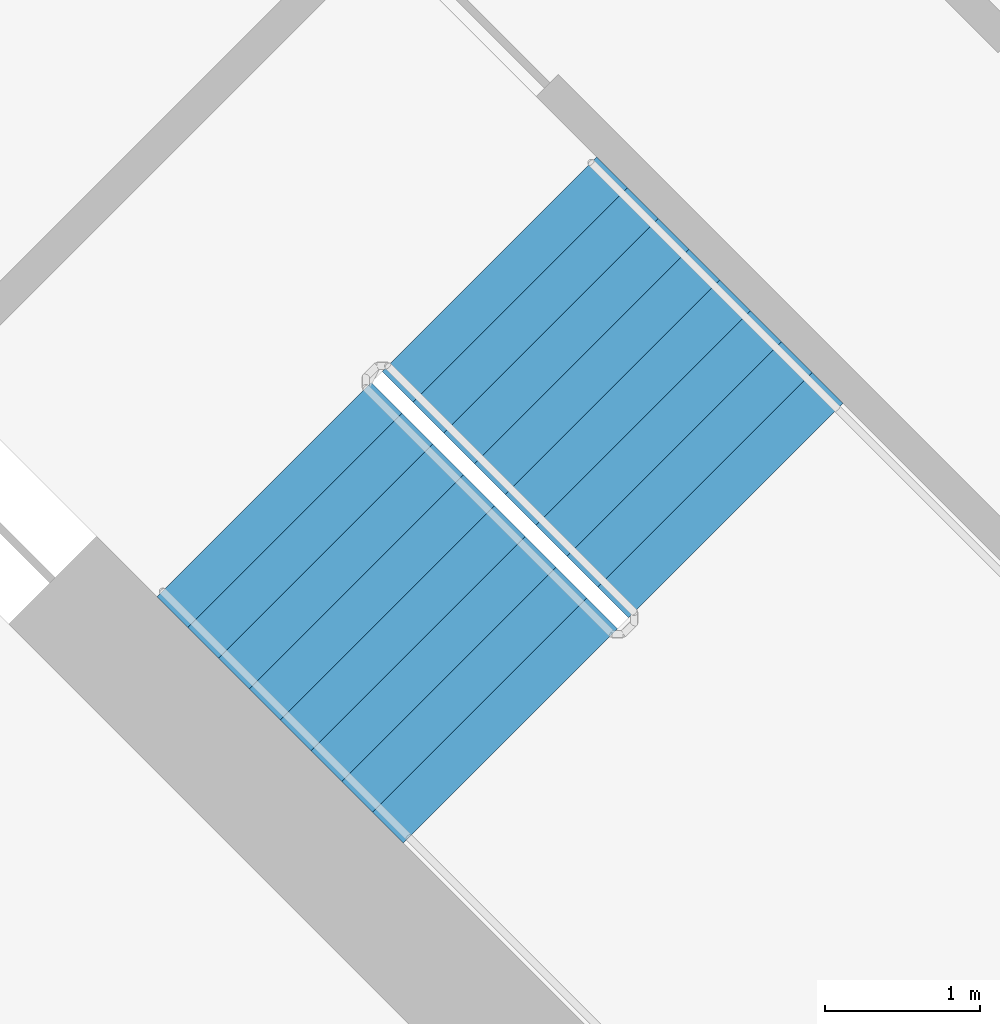
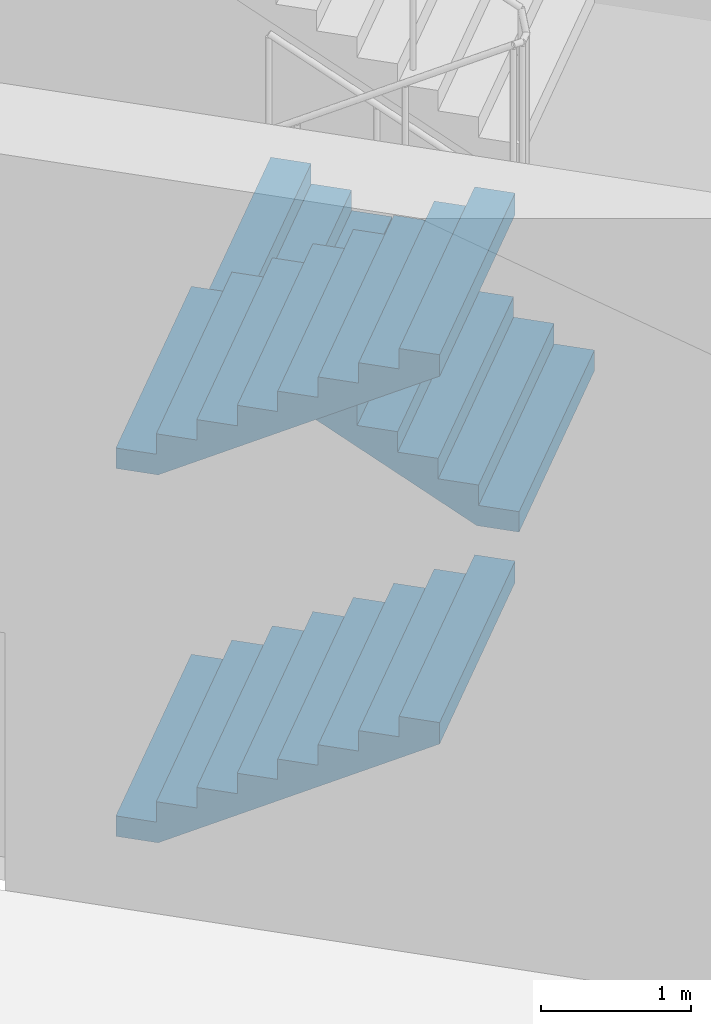
# One storey, part 12 of 17: 3 stair flights, 1 element without a shape of its own.
"""IFC4 building model written with IfcOpenShell, lengths in metres."""

from ifc_helpers import new_model, si_unit, direction, frame, origin, place, context, subcontext, project, spatial, triangles, material, type_object, element, aggregate, save


model = new_model("IFC4")

# Units and contexts
model_context = context("Model", 3, precision=1e-05, world=origin(), true_north=direction((0.0, 1.0)))
body_context = subcontext(model_context, "Body", "Model", "MODEL_VIEW")
ifc_project = project(units=[si_unit("LENGTHUNIT", "METRE"), si_unit("AREAUNIT", "SQUARE_METRE"), si_unit("VOLUMEUNIT", "CUBIC_METRE"), si_unit("PLANEANGLEUNIT", "RADIAN"), si_unit("MASSUNIT", "GRAM", prefix="KILO")], contexts=[model_context])

# Site, building, storey
site_placement = place(None, origin())
site = spatial("IfcSite", under=ifc_project, at=site_placement, CompositionType="ELEMENT")
building_placement = place(site_placement, origin())
building = spatial("IfcBuilding", under=site, at=building_placement, Name="Verdalira Terraces Hotel", CompositionType="ELEMENT")
storey_placement = place(building_placement, frame((0.0, 0.0, 122.0)))
storey = spatial("IfcBuildingStorey", under=building, at=storey_placement, Name="L29", CompositionType="ELEMENT", Elevation=122.0)

# Stair, stair flights
ifc_material_1 = material(Name="Concrete C40", Category="concrete")
stair_type = type_object("IfcStairType", Name="Core stair 36 risers 1950 mm wide", PredefinedType="HALF_TURN_STAIR", material=ifc_material_1)
stair_placement = place(storey_placement, origin())
stair = element("IfcStair", 1, at=stair_placement, inside=storey, type_object=stair_type, Name="L29 Exit stair ST2", PredefinedType="HALF_TURN_STAIR")
ifc_material_2 = material(Name="Concrete C40", Category="concrete")
stair_flight_type = type_object("IfcStairFlightType", Name="Core stair flight 36 risers 1950 mm wide", PredefinedType="STRAIGHT", material=ifc_material_2)
stair_flight_1_placement = place(storey_placement, frame((-10.023193, -7.265625, 0.0), z_axis=(0.0, 0.0, 1.0), x_axis=(0.707106781, -0.707106781, 0.0)))
stair_flight_1 = element("IfcStairFlight", 2, at=stair_flight_1_placement, type_object=stair_flight_type, Name="ST2 flight 1", NumberOfRisers=9, NumberOfTreads=8, PredefinedType="STRAIGHT", RiserHeight=0.166666667, TreadLength=0.28, context=body_context, shape_type="Tessellation", body=[
    triangles([(0.0, 0.974976, 0.0), (0.292969, 0.974976, 0.0), (2.23999, 0.974976, 1.158936), (0.0, -0.974976, 0.0), (0.292969, -0.974976, 0.0), (2.23999, -0.974976, 1.158936), (2.23999, 0.974976, 1.333252), (1.959961, 0.974976, 1.333252), (2.23999, -0.974976, 1.333252), (1.959961, -0.974976, 1.333252), (1.959961, 0.974976, 1.166748), (1.959961, -0.974976, 1.166748), (1.679932, 0.974976, 1.166748), (1.679932, -0.974976, 1.166748), (1.679932, 0.974976, 1.0), (1.679932, -0.974976, 1.0), (1.399902, 0.974976, 1.0), (1.399902, 0.974976, 0.833252), (1.399902, -0.974976, 1.0), (1.399902, -0.974976, 0.833252), (1.120117, 0.974976, 0.833252), (1.120117, 0.974976, 0.666748), (1.120117, -0.974976, 0.833252), (1.120117, -0.974976, 0.666748), (0.840088, 0.974976, 0.666748), (0.840088, 0.974976, 0.5), (0.840088, -0.974976, 0.666748), (0.840088, -0.974976, 0.5), (0.560059, 0.974976, 0.5), (0.560059, 0.974976, 0.333252), (0.560059, -0.974976, 0.5), (0.560059, -0.974976, 0.333252), (0.280029, 0.974976, 0.333252), (0.280029, 0.974976, 0.166748), (0.280029, -0.974976, 0.333252), (0.280029, -0.974976, 0.166748), (0.0, 0.974976, 0.166748), (0.0, -0.974976, 0.166748), (0.0, -0.91404, 0.0), (0.0, -0.91404, 0.166748), (0.0, -0.853104, 0.0), (0.0, -0.853104, 0.166748), (0.0, -0.792168, 0.0), (0.0, -0.792168, 0.166748), (0.0, -0.731232, 0.0), (0.0, -0.731232, 0.166748), (0.0, -0.670296, 0.0), (0.0, -0.670296, 0.166748), (0.0, -0.60936, 0.0), (0.0, -0.60936, 0.166748), (0.0, -0.548424, 0.0), (0.0, -0.548424, 0.166748), (0.0, -0.487488, 0.0), (0.0, -0.487488, 0.166748), (0.0, -0.426552, 0.0), (0.0, -0.426552, 0.166748), (0.0, -0.365616, 0.0), (0.0, -0.365616, 0.166748), (0.0, -0.30468, 0.0), (0.0, -0.30468, 0.166748), (0.0, -0.243744, 0.0), (0.0, -0.243744, 0.166748), (0.0, -0.182808, 0.0), (0.0, -0.182808, 0.166748), (0.0, -0.121872, 0.0), (0.0, -0.121872, 0.166748), (0.0, -0.060936, 0.0), (0.0, -0.060936, 0.166748), (0.0, 0.0, 0.0), (0.0, 0.0, 0.166748), (0.0, 0.060936, 0.0), (0.0, 0.060936, 0.166748), (0.0, 0.121872, 0.0), (0.0, 0.121872, 0.166748), (0.0, 0.182808, 0.0), (0.0, 0.182808, 0.166748), (0.0, 0.243744, 0.0), (0.0, 0.243744, 0.166748), (0.0, 0.30468, 0.0), (0.0, 0.30468, 0.166748), (0.0, 0.365616, 0.0), (0.0, 0.365616, 0.166748), (0.0, 0.426552, 0.0), (0.0, 0.426552, 0.166748), (0.0, 0.487488, 0.0), (0.0, 0.487488, 0.166748), (0.0, 0.548424, 0.0), (0.0, 0.548424, 0.166748), (0.0, 0.60936, 0.0), (0.0, 0.60936, 0.166748), (0.0, 0.670296, 0.0), (0.0, 0.670296, 0.166748), (0.0, 0.731232, 0.0), (0.0, 0.731232, 0.166748), (0.0, 0.792168, 0.0), (0.0, 0.792168, 0.166748), (0.0, 0.853104, 0.0), (0.0, 0.853104, 0.166748), (0.0, 0.91404, 0.0), (0.0, 0.91404, 0.166748), (2.23999, -0.91404, 1.333252), (2.23999, -0.853104, 1.333252), (2.23999, -0.792168, 1.333252), (2.23999, -0.731232, 1.333252), (2.23999, -0.670296, 1.333252), (2.23999, -0.60936, 1.333252), (2.23999, -0.548424, 1.333252), (2.23999, -0.487488, 1.333252), (2.23999, -0.426552, 1.333252), (2.23999, -0.365616, 1.333252), (2.23999, -0.30468, 1.333252), (2.23999, -0.243744, 1.333252), (2.23999, -0.182808, 1.333252), (2.23999, -0.121872, 1.333252), (2.23999, -0.060936, 1.333252), (2.23999, 0.0, 1.333252), (2.23999, 0.060936, 1.333252), (2.23999, 0.121872, 1.333252), (2.23999, 0.182808, 1.333252), (2.23999, 0.243744, 1.333252), (2.23999, 0.30468, 1.333252), (2.23999, 0.365616, 1.333252), (2.23999, 0.426552, 1.333252), (2.23999, 0.487488, 1.333252), (2.23999, 0.548424, 1.333252), (2.23999, 0.60936, 1.333252), (2.23999, 0.670296, 1.333252), (2.23999, 0.731232, 1.333252), (2.23999, 0.792168, 1.333252), (2.23999, 0.853104, 1.333252), (2.23999, 0.91404, 1.333252), (2.23999, -0.91404, 1.158936), (2.23999, -0.853104, 1.158936), (2.23999, -0.792168, 1.158936), (2.23999, -0.731232, 1.158936), (2.23999, -0.670296, 1.158936), (2.23999, -0.60936, 1.158936), (2.23999, -0.548424, 1.158936), (2.23999, -0.487488, 1.158936), (2.23999, -0.426552, 1.158936), (2.23999, -0.365616, 1.158936), (2.23999, -0.30468, 1.158936), (2.23999, -0.243744, 1.158936), (2.23999, -0.182808, 1.158936), (2.23999, -0.121872, 1.158936), (2.23999, -0.060936, 1.158936), (2.23999, 0.0, 1.158936), (2.23999, 0.060936, 1.158936), (2.23999, 0.121872, 1.158936), (2.23999, 0.182808, 1.158936), (2.23999, 0.243744, 1.158936), (2.23999, 0.30468, 1.158936), (2.23999, 0.365616, 1.158936), (2.23999, 0.426552, 1.158936), (2.23999, 0.487488, 1.158936), (2.23999, 0.548424, 1.158936), (2.23999, 0.60936, 1.158936), (2.23999, 0.670296, 1.158936), (2.23999, 0.731232, 1.158936), (2.23999, 0.792168, 1.158936), (2.23999, 0.853104, 1.158936), (2.23999, 0.91404, 1.158936)], [[1, 3, 2], [4, 5, 6], [3, 8, 7], [6, 9, 10], [3, 11, 8], [6, 10, 12], [3, 13, 11], [6, 12, 14], [3, 15, 13], [6, 14, 16], [15, 18, 17], [16, 19, 20], [3, 18, 15], [6, 16, 20], [18, 22, 21], [20, 23, 24], [3, 22, 18], [6, 20, 24], [22, 26, 25], [24, 27, 28], [3, 26, 22], [6, 24, 28], [26, 30, 29], [28, 31, 32], [3, 30, 26], [6, 28, 32], [1, 30, 3], [4, 6, 32], [30, 34, 33], [32, 35, 36], [1, 34, 30], [4, 32, 36], [34, 1, 37], [36, 38, 4], [4, 40, 39], [4, 38, 40], [39, 42, 41], [39, 40, 42], [41, 44, 43], [41, 42, 44], [43, 46, 45], [43, 44, 46], [45, 48, 47], [45, 46, 48], [47, 50, 49], [47, 48, 50], [49, 52, 51], [49, 50, 52], [51, 54, 53], [51, 52, 54], [53, 56, 55], [53, 54, 56], [55, 58, 57], [55, 56, 58], [57, 60, 59], [57, 58, 60], [59, 62, 61], [59, 60, 62], [61, 64, 63], [61, 62, 64], [63, 66, 65], [63, 64, 66], [65, 68, 67], [65, 66, 68], [67, 70, 69], [67, 68, 70], [69, 72, 71], [69, 70, 72], [71, 74, 73], [71, 72, 74], [73, 76, 75], [73, 74, 76], [75, 78, 77], [75, 76, 78], [77, 80, 79], [77, 78, 80], [79, 82, 81], [79, 80, 82], [81, 84, 83], [81, 82, 84], [83, 86, 85], [83, 84, 86], [85, 88, 87], [85, 86, 88], [87, 90, 89], [87, 88, 90], [89, 92, 91], [89, 90, 92], [91, 94, 93], [91, 92, 94], [93, 96, 95], [93, 94, 96], [95, 98, 97], [95, 96, 98], [97, 100, 99], [97, 98, 100], [99, 37, 1], [99, 100, 37], [38, 36, 40], [40, 36, 42], [42, 36, 44], [44, 36, 46], [46, 36, 48], [48, 36, 50], [50, 36, 52], [52, 36, 54], [54, 36, 56], [56, 36, 58], [58, 36, 60], [60, 36, 62], [62, 36, 64], [64, 36, 66], [66, 36, 68], [68, 36, 70], [70, 36, 72], [72, 36, 74], [74, 36, 76], [76, 36, 78], [78, 36, 80], [80, 36, 82], [82, 36, 84], [84, 36, 86], [86, 36, 88], [88, 36, 90], [90, 36, 92], [92, 36, 94], [94, 36, 96], [96, 36, 98], [98, 36, 100], [100, 36, 37], [37, 36, 34], [36, 33, 34], [36, 35, 33], [35, 30, 33], [35, 32, 30], [32, 29, 30], [32, 31, 29], [31, 26, 29], [31, 28, 26], [28, 25, 26], [28, 27, 25], [27, 22, 25], [27, 24, 22], [24, 21, 22], [24, 23, 21], [23, 18, 21], [23, 20, 18], [20, 17, 18], [20, 19, 17], [19, 15, 17], [19, 16, 15], [16, 13, 15], [16, 14, 13], [14, 11, 13], [14, 12, 11], [12, 8, 11], [12, 10, 8], [9, 101, 10], [101, 102, 10], [102, 103, 10], [103, 104, 10], [104, 105, 10], [105, 106, 10], [106, 107, 10], [107, 108, 10], [108, 109, 10], [109, 110, 10], [110, 111, 10], [111, 112, 10], [112, 113, 10], [113, 114, 10], [114, 115, 10], [115, 116, 10], [116, 117, 10], [117, 118, 10], [118, 119, 10], [119, 120, 10], [120, 121, 10], [121, 122, 10], [122, 123, 10], [123, 124, 10], [124, 125, 10], [125, 126, 10], [126, 127, 10], [127, 128, 10], [128, 129, 10], [129, 130, 10], [130, 131, 10], [131, 7, 10], [7, 8, 10], [9, 132, 101], [9, 6, 132], [101, 133, 102], [101, 132, 133], [102, 134, 103], [102, 133, 134], [103, 135, 104], [103, 134, 135], [104, 136, 105], [104, 135, 136], [105, 137, 106], [105, 136, 137], [106, 138, 107], [106, 137, 138], [107, 139, 108], [107, 138, 139], [108, 140, 109], [108, 139, 140], [109, 141, 110], [109, 140, 141], [110, 142, 111], [110, 141, 142], [111, 143, 112], [111, 142, 143], [112, 144, 113], [112, 143, 144], [113, 145, 114], [113, 144, 145], [114, 146, 115], [114, 145, 146], [115, 147, 116], [115, 146, 147], [116, 148, 117], [116, 147, 148], [117, 149, 118], [117, 148, 149], [118, 150, 119], [118, 149, 150], [119, 151, 120], [119, 150, 151], [120, 152, 121], [120, 151, 152], [121, 153, 122], [121, 152, 153], [122, 154, 123], [122, 153, 154], [123, 155, 124], [123, 154, 155], [124, 156, 125], [124, 155, 156], [125, 157, 126], [125, 156, 157], [126, 158, 127], [126, 157, 158], [127, 159, 128], [127, 158, 159], [128, 160, 129], [128, 159, 160], [129, 161, 130], [129, 160, 161], [130, 162, 131], [130, 161, 162], [131, 3, 7], [131, 162, 3], [6, 5, 132], [132, 5, 133], [133, 5, 134], [134, 5, 135], [135, 5, 136], [136, 5, 137], [137, 5, 138], [138, 5, 139], [139, 5, 140], [140, 5, 141], [141, 5, 142], [142, 5, 143], [143, 5, 144], [144, 5, 145], [145, 5, 146], [146, 5, 147], [147, 5, 148], [148, 5, 149], [149, 5, 150], [150, 5, 151], [151, 5, 152], [152, 5, 153], [153, 5, 154], [154, 5, 155], [155, 5, 156], [156, 5, 157], [157, 5, 158], [158, 5, 159], [159, 5, 160], [160, 5, 161], [161, 5, 162], [162, 5, 3], [3, 5, 2], [4, 39, 5], [39, 41, 5], [41, 43, 5], [43, 45, 5], [45, 47, 5], [47, 49, 5], [49, 51, 5], [51, 53, 5], [53, 55, 5], [55, 57, 5], [57, 59, 5], [59, 61, 5], [61, 63, 5], [63, 65, 5], [65, 67, 5], [67, 69, 5], [69, 71, 5], [71, 73, 5], [73, 75, 5], [75, 77, 5], [77, 79, 5], [79, 81, 5], [81, 83, 5], [83, 85, 5], [85, 87, 5], [87, 89, 5], [89, 91, 5], [91, 93, 5], [93, 95, 5], [95, 97, 5], [97, 99, 5], [99, 1, 5], [1, 2, 5]], closed=True),
])
stair_flight_2_placement = place(storey_placement, frame((-6.989746, -7.399902, 1.5), z_axis=(0.0, 0.0, 1.0), x_axis=(-0.707106781, 0.707106781, 0.0)))
stair_flight_2 = element("IfcStairFlight", 3, at=stair_flight_2_placement, type_object=stair_flight_type, Name="ST2 flight 2", NumberOfRisers=9, NumberOfTreads=8, PredefinedType="STRAIGHT", RiserHeight=0.166666667, TreadLength=0.28, context=body_context, shape_type="Tessellation", body=[
    triangles([(0.0, 0.974976, 0.0), (0.292969, 0.974976, 0.0), (2.23999, 0.974976, 1.158936), (0.0, -0.974976, 0.0), (0.292969, -0.974976, 0.0), (2.23999, -0.974976, 1.158936), (2.23999, 0.974976, 1.333252), (1.959961, 0.974976, 1.333252), (2.23999, -0.974976, 1.333252), (1.959961, -0.974976, 1.333252), (1.959961, 0.974976, 1.166748), (1.959961, -0.974976, 1.166748), (1.679932, 0.974976, 1.166748), (1.679932, -0.974976, 1.166748), (1.679932, 0.974976, 1.0), (1.679932, -0.974976, 1.0), (1.399902, 0.974976, 1.0), (1.399902, 0.974976, 0.833252), (1.399902, -0.974976, 1.0), (1.399902, -0.974976, 0.833252), (1.120117, 0.974976, 0.833252), (1.120117, 0.974976, 0.666748), (1.120117, -0.974976, 0.833252), (1.120117, -0.974976, 0.666748), (0.840088, 0.974976, 0.666748), (0.840088, 0.974976, 0.5), (0.840088, -0.974976, 0.666748), (0.840088, -0.974976, 0.5), (0.560059, 0.974976, 0.5), (0.560059, 0.974976, 0.333252), (0.560059, -0.974976, 0.5), (0.560059, -0.974976, 0.333252), (0.280029, 0.974976, 0.333252), (0.280029, 0.974976, 0.166748), (0.280029, -0.974976, 0.333252), (0.280029, -0.974976, 0.166748), (0.0, 0.974976, 0.166748), (0.0, -0.974976, 0.166748), (0.0, -0.91404, 0.0), (0.0, -0.91404, 0.166748), (0.0, -0.853104, 0.0), (0.0, -0.853104, 0.166748), (0.0, -0.792168, 0.0), (0.0, -0.792168, 0.166748), (0.0, -0.731232, 0.0), (0.0, -0.731232, 0.166748), (0.0, -0.670296, 0.0), (0.0, -0.670296, 0.166748), (0.0, -0.60936, 0.0), (0.0, -0.60936, 0.166748), (0.0, -0.548424, 0.0), (0.0, -0.548424, 0.166748), (0.0, -0.487488, 0.0), (0.0, -0.487488, 0.166748), (0.0, -0.426552, 0.0), (0.0, -0.426552, 0.166748), (0.0, -0.365616, 0.0), (0.0, -0.365616, 0.166748), (0.0, -0.30468, 0.0), (0.0, -0.30468, 0.166748), (0.0, -0.243744, 0.0), (0.0, -0.243744, 0.166748), (0.0, -0.182808, 0.0), (0.0, -0.182808, 0.166748), (0.0, -0.121872, 0.0), (0.0, -0.121872, 0.166748), (0.0, -0.060936, 0.0), (0.0, -0.060936, 0.166748), (0.0, 0.0, 0.0), (0.0, 0.0, 0.166748), (0.0, 0.060936, 0.0), (0.0, 0.060936, 0.166748), (0.0, 0.121872, 0.0), (0.0, 0.121872, 0.166748), (0.0, 0.182808, 0.0), (0.0, 0.182808, 0.166748), (0.0, 0.243744, 0.0), (0.0, 0.243744, 0.166748), (0.0, 0.30468, 0.0), (0.0, 0.30468, 0.166748), (0.0, 0.365616, 0.0), (0.0, 0.365616, 0.166748), (0.0, 0.426552, 0.0), (0.0, 0.426552, 0.166748), (0.0, 0.487488, 0.0), (0.0, 0.487488, 0.166748), (0.0, 0.548424, 0.0), (0.0, 0.548424, 0.166748), (0.0, 0.60936, 0.0), (0.0, 0.60936, 0.166748), (0.0, 0.670296, 0.0), (0.0, 0.670296, 0.166748), (0.0, 0.731232, 0.0), (0.0, 0.731232, 0.166748), (0.0, 0.792168, 0.0), (0.0, 0.792168, 0.166748), (0.0, 0.853104, 0.0), (0.0, 0.853104, 0.166748), (0.0, 0.91404, 0.0), (0.0, 0.91404, 0.166748), (2.23999, -0.91404, 1.333252), (2.23999, -0.853104, 1.333252), (2.23999, -0.792168, 1.333252), (2.23999, -0.731232, 1.333252), (2.23999, -0.670296, 1.333252), (2.23999, -0.60936, 1.333252), (2.23999, -0.548424, 1.333252), (2.23999, -0.487488, 1.333252), (2.23999, -0.426552, 1.333252), (2.23999, -0.365616, 1.333252), (2.23999, -0.30468, 1.333252), (2.23999, -0.243744, 1.333252), (2.23999, -0.182808, 1.333252), (2.23999, -0.121872, 1.333252), (2.23999, -0.060936, 1.333252), (2.23999, 0.0, 1.333252), (2.23999, 0.060936, 1.333252), (2.23999, 0.121872, 1.333252), (2.23999, 0.182808, 1.333252), (2.23999, 0.243744, 1.333252), (2.23999, 0.30468, 1.333252), (2.23999, 0.365616, 1.333252), (2.23999, 0.426552, 1.333252), (2.23999, 0.487488, 1.333252), (2.23999, 0.548424, 1.333252), (2.23999, 0.60936, 1.333252), (2.23999, 0.670296, 1.333252), (2.23999, 0.731232, 1.333252), (2.23999, 0.792168, 1.333252), (2.23999, 0.853104, 1.333252), (2.23999, 0.91404, 1.333252), (2.23999, -0.91404, 1.158936), (2.23999, -0.853104, 1.158936), (2.23999, -0.792168, 1.158936), (2.23999, -0.731232, 1.158936), (2.23999, -0.670296, 1.158936), (2.23999, -0.60936, 1.158936), (2.23999, -0.548424, 1.158936), (2.23999, -0.487488, 1.158936), (2.23999, -0.426552, 1.158936), (2.23999, -0.365616, 1.158936), (2.23999, -0.30468, 1.158936), (2.23999, -0.243744, 1.158936), (2.23999, -0.182808, 1.158936), (2.23999, -0.121872, 1.158936), (2.23999, -0.060936, 1.158936), (2.23999, 0.0, 1.158936), (2.23999, 0.060936, 1.158936), (2.23999, 0.121872, 1.158936), (2.23999, 0.182808, 1.158936), (2.23999, 0.243744, 1.158936), (2.23999, 0.30468, 1.158936), (2.23999, 0.365616, 1.158936), (2.23999, 0.426552, 1.158936), (2.23999, 0.487488, 1.158936), (2.23999, 0.548424, 1.158936), (2.23999, 0.60936, 1.158936), (2.23999, 0.670296, 1.158936), (2.23999, 0.731232, 1.158936), (2.23999, 0.792168, 1.158936), (2.23999, 0.853104, 1.158936), (2.23999, 0.91404, 1.158936)], [[1, 3, 2], [4, 5, 6], [3, 8, 7], [6, 9, 10], [3, 11, 8], [6, 10, 12], [3, 13, 11], [6, 12, 14], [3, 15, 13], [6, 14, 16], [15, 18, 17], [16, 19, 20], [3, 18, 15], [6, 16, 20], [18, 22, 21], [20, 23, 24], [3, 22, 18], [6, 20, 24], [22, 26, 25], [24, 27, 28], [3, 26, 22], [6, 24, 28], [26, 30, 29], [28, 31, 32], [3, 30, 26], [6, 28, 32], [1, 30, 3], [4, 6, 32], [30, 34, 33], [32, 35, 36], [1, 34, 30], [4, 32, 36], [34, 1, 37], [36, 38, 4], [4, 40, 39], [4, 38, 40], [39, 42, 41], [39, 40, 42], [41, 44, 43], [41, 42, 44], [43, 46, 45], [43, 44, 46], [45, 48, 47], [45, 46, 48], [47, 50, 49], [47, 48, 50], [49, 52, 51], [49, 50, 52], [51, 54, 53], [51, 52, 54], [53, 56, 55], [53, 54, 56], [55, 58, 57], [55, 56, 58], [57, 60, 59], [57, 58, 60], [59, 62, 61], [59, 60, 62], [61, 64, 63], [61, 62, 64], [63, 66, 65], [63, 64, 66], [65, 68, 67], [65, 66, 68], [67, 70, 69], [67, 68, 70], [69, 72, 71], [69, 70, 72], [71, 74, 73], [71, 72, 74], [73, 76, 75], [73, 74, 76], [75, 78, 77], [75, 76, 78], [77, 80, 79], [77, 78, 80], [79, 82, 81], [79, 80, 82], [81, 84, 83], [81, 82, 84], [83, 86, 85], [83, 84, 86], [85, 88, 87], [85, 86, 88], [87, 90, 89], [87, 88, 90], [89, 92, 91], [89, 90, 92], [91, 94, 93], [91, 92, 94], [93, 96, 95], [93, 94, 96], [95, 98, 97], [95, 96, 98], [97, 100, 99], [97, 98, 100], [99, 37, 1], [99, 100, 37], [38, 36, 40], [40, 36, 42], [42, 36, 44], [44, 36, 46], [46, 36, 48], [48, 36, 50], [50, 36, 52], [52, 36, 54], [54, 36, 56], [56, 36, 58], [58, 36, 60], [60, 36, 62], [62, 36, 64], [64, 36, 66], [66, 36, 68], [68, 36, 70], [70, 36, 72], [72, 36, 74], [74, 36, 76], [76, 36, 78], [78, 36, 80], [80, 36, 82], [82, 36, 84], [84, 36, 86], [86, 36, 88], [88, 36, 90], [90, 36, 92], [92, 36, 94], [94, 36, 96], [96, 36, 98], [98, 36, 100], [100, 36, 37], [37, 36, 34], [36, 33, 34], [36, 35, 33], [35, 30, 33], [35, 32, 30], [32, 29, 30], [32, 31, 29], [31, 26, 29], [31, 28, 26], [28, 25, 26], [28, 27, 25], [27, 22, 25], [27, 24, 22], [24, 21, 22], [24, 23, 21], [23, 18, 21], [23, 20, 18], [20, 17, 18], [20, 19, 17], [19, 15, 17], [19, 16, 15], [16, 13, 15], [16, 14, 13], [14, 11, 13], [14, 12, 11], [12, 8, 11], [12, 10, 8], [9, 101, 10], [101, 102, 10], [102, 103, 10], [103, 104, 10], [104, 105, 10], [105, 106, 10], [106, 107, 10], [107, 108, 10], [108, 109, 10], [109, 110, 10], [110, 111, 10], [111, 112, 10], [112, 113, 10], [113, 114, 10], [114, 115, 10], [115, 116, 10], [116, 117, 10], [117, 118, 10], [118, 119, 10], [119, 120, 10], [120, 121, 10], [121, 122, 10], [122, 123, 10], [123, 124, 10], [124, 125, 10], [125, 126, 10], [126, 127, 10], [127, 128, 10], [128, 129, 10], [129, 130, 10], [130, 131, 10], [131, 7, 10], [7, 8, 10], [9, 132, 101], [9, 6, 132], [101, 133, 102], [101, 132, 133], [102, 134, 103], [102, 133, 134], [103, 135, 104], [103, 134, 135], [104, 136, 105], [104, 135, 136], [105, 137, 106], [105, 136, 137], [106, 138, 107], [106, 137, 138], [107, 139, 108], [107, 138, 139], [108, 140, 109], [108, 139, 140], [109, 141, 110], [109, 140, 141], [110, 142, 111], [110, 141, 142], [111, 143, 112], [111, 142, 143], [112, 144, 113], [112, 143, 144], [113, 145, 114], [113, 144, 145], [114, 146, 115], [114, 145, 146], [115, 147, 116], [115, 146, 147], [116, 148, 117], [116, 147, 148], [117, 149, 118], [117, 148, 149], [118, 150, 119], [118, 149, 150], [119, 151, 120], [119, 150, 151], [120, 152, 121], [120, 151, 152], [121, 153, 122], [121, 152, 153], [122, 154, 123], [122, 153, 154], [123, 155, 124], [123, 154, 155], [124, 156, 125], [124, 155, 156], [125, 157, 126], [125, 156, 157], [126, 158, 127], [126, 157, 158], [127, 159, 128], [127, 158, 159], [128, 160, 129], [128, 159, 160], [129, 161, 130], [129, 160, 161], [130, 162, 131], [130, 161, 162], [131, 3, 7], [131, 162, 3], [6, 5, 132], [132, 5, 133], [133, 5, 134], [134, 5, 135], [135, 5, 136], [136, 5, 137], [137, 5, 138], [138, 5, 139], [139, 5, 140], [140, 5, 141], [141, 5, 142], [142, 5, 143], [143, 5, 144], [144, 5, 145], [145, 5, 146], [146, 5, 147], [147, 5, 148], [148, 5, 149], [149, 5, 150], [150, 5, 151], [151, 5, 152], [152, 5, 153], [153, 5, 154], [154, 5, 155], [155, 5, 156], [156, 5, 157], [157, 5, 158], [158, 5, 159], [159, 5, 160], [160, 5, 161], [161, 5, 162], [162, 5, 3], [3, 5, 2], [4, 39, 5], [39, 41, 5], [41, 43, 5], [43, 45, 5], [45, 47, 5], [47, 49, 5], [49, 51, 5], [51, 53, 5], [53, 55, 5], [55, 57, 5], [57, 59, 5], [59, 61, 5], [61, 63, 5], [63, 65, 5], [65, 67, 5], [67, 69, 5], [69, 71, 5], [71, 73, 5], [73, 75, 5], [75, 77, 5], [77, 79, 5], [79, 81, 5], [81, 83, 5], [83, 85, 5], [85, 87, 5], [87, 89, 5], [89, 91, 5], [91, 93, 5], [93, 95, 5], [95, 97, 5], [97, 99, 5], [99, 1, 5], [1, 2, 5]], closed=True),
])
stair_flight_3_placement = place(storey_placement, frame((-10.023193, -7.265625, 3.0), z_axis=(0.0, 0.0, 1.0), x_axis=(0.707106781, -0.707106781, 0.0)))
stair_flight_3 = element("IfcStairFlight", 4, at=stair_flight_3_placement, type_object=stair_flight_type, Name="ST2 flight 3", NumberOfRisers=9, NumberOfTreads=8, PredefinedType="STRAIGHT", RiserHeight=0.166666667, TreadLength=0.28, context=body_context, shape_type="Tessellation", body=[
    triangles([(0.0, 0.974976, 0.0), (0.292969, 0.974976, 0.0), (2.23999, 0.974976, 1.158936), (0.0, -0.974976, 0.0), (0.292969, -0.974976, 0.0), (2.23999, -0.974976, 1.158936), (2.23999, 0.974976, 1.333252), (1.959961, 0.974976, 1.333252), (2.23999, -0.974976, 1.333252), (1.959961, -0.974976, 1.333252), (1.959961, 0.974976, 1.166748), (1.959961, -0.974976, 1.166748), (1.679932, 0.974976, 1.166748), (1.679932, -0.974976, 1.166748), (1.679932, 0.974976, 1.0), (1.679932, -0.974976, 1.0), (1.399902, 0.974976, 1.0), (1.399902, 0.974976, 0.833252), (1.399902, -0.974976, 1.0), (1.399902, -0.974976, 0.833252), (1.120117, 0.974976, 0.833252), (1.120117, 0.974976, 0.666748), (1.120117, -0.974976, 0.833252), (1.120117, -0.974976, 0.666748), (0.840088, 0.974976, 0.666748), (0.840088, 0.974976, 0.5), (0.840088, -0.974976, 0.666748), (0.840088, -0.974976, 0.5), (0.560059, 0.974976, 0.5), (0.560059, 0.974976, 0.333252), (0.560059, -0.974976, 0.5), (0.560059, -0.974976, 0.333252), (0.280029, 0.974976, 0.333252), (0.280029, 0.974976, 0.166748), (0.280029, -0.974976, 0.333252), (0.280029, -0.974976, 0.166748), (0.0, 0.974976, 0.166748), (0.0, -0.974976, 0.166748), (0.0, -0.91404, 0.0), (0.0, -0.91404, 0.166748), (0.0, -0.853104, 0.0), (0.0, -0.853104, 0.166748), (0.0, -0.792168, 0.0), (0.0, -0.792168, 0.166748), (0.0, -0.731232, 0.0), (0.0, -0.731232, 0.166748), (0.0, -0.670296, 0.0), (0.0, -0.670296, 0.166748), (0.0, -0.60936, 0.0), (0.0, -0.60936, 0.166748), (0.0, -0.548424, 0.0), (0.0, -0.548424, 0.166748), (0.0, -0.487488, 0.0), (0.0, -0.487488, 0.166748), (0.0, -0.426552, 0.0), (0.0, -0.426552, 0.166748), (0.0, -0.365616, 0.0), (0.0, -0.365616, 0.166748), (0.0, -0.30468, 0.0), (0.0, -0.30468, 0.166748), (0.0, -0.243744, 0.0), (0.0, -0.243744, 0.166748), (0.0, -0.182808, 0.0), (0.0, -0.182808, 0.166748), (0.0, -0.121872, 0.0), (0.0, -0.121872, 0.166748), (0.0, -0.060936, 0.0), (0.0, -0.060936, 0.166748), (0.0, 0.0, 0.0), (0.0, 0.0, 0.166748), (0.0, 0.060936, 0.0), (0.0, 0.060936, 0.166748), (0.0, 0.121872, 0.0), (0.0, 0.121872, 0.166748), (0.0, 0.182808, 0.0), (0.0, 0.182808, 0.166748), (0.0, 0.243744, 0.0), (0.0, 0.243744, 0.166748), (0.0, 0.30468, 0.0), (0.0, 0.30468, 0.166748), (0.0, 0.365616, 0.0), (0.0, 0.365616, 0.166748), (0.0, 0.426552, 0.0), (0.0, 0.426552, 0.166748), (0.0, 0.487488, 0.0), (0.0, 0.487488, 0.166748), (0.0, 0.548424, 0.0), (0.0, 0.548424, 0.166748), (0.0, 0.60936, 0.0), (0.0, 0.60936, 0.166748), (0.0, 0.670296, 0.0), (0.0, 0.670296, 0.166748), (0.0, 0.731232, 0.0), (0.0, 0.731232, 0.166748), (0.0, 0.792168, 0.0), (0.0, 0.792168, 0.166748), (0.0, 0.853104, 0.0), (0.0, 0.853104, 0.166748), (0.0, 0.91404, 0.0), (0.0, 0.91404, 0.166748), (2.23999, -0.91404, 1.333252), (2.23999, -0.853104, 1.333252), (2.23999, -0.792168, 1.333252), (2.23999, -0.731232, 1.333252), (2.23999, -0.670296, 1.333252), (2.23999, -0.60936, 1.333252), (2.23999, -0.548424, 1.333252), (2.23999, -0.487488, 1.333252), (2.23999, -0.426552, 1.333252), (2.23999, -0.365616, 1.333252), (2.23999, -0.30468, 1.333252), (2.23999, -0.243744, 1.333252), (2.23999, -0.182808, 1.333252), (2.23999, -0.121872, 1.333252), (2.23999, -0.060936, 1.333252), (2.23999, 0.0, 1.333252), (2.23999, 0.060936, 1.333252), (2.23999, 0.121872, 1.333252), (2.23999, 0.182808, 1.333252), (2.23999, 0.243744, 1.333252), (2.23999, 0.30468, 1.333252), (2.23999, 0.365616, 1.333252), (2.23999, 0.426552, 1.333252), (2.23999, 0.487488, 1.333252), (2.23999, 0.548424, 1.333252), (2.23999, 0.60936, 1.333252), (2.23999, 0.670296, 1.333252), (2.23999, 0.731232, 1.333252), (2.23999, 0.792168, 1.333252), (2.23999, 0.853104, 1.333252), (2.23999, 0.91404, 1.333252), (2.23999, -0.91404, 1.158936), (2.23999, -0.853104, 1.158936), (2.23999, -0.792168, 1.158936), (2.23999, -0.731232, 1.158936), (2.23999, -0.670296, 1.158936), (2.23999, -0.60936, 1.158936), (2.23999, -0.548424, 1.158936), (2.23999, -0.487488, 1.158936), (2.23999, -0.426552, 1.158936), (2.23999, -0.365616, 1.158936), (2.23999, -0.30468, 1.158936), (2.23999, -0.243744, 1.158936), (2.23999, -0.182808, 1.158936), (2.23999, -0.121872, 1.158936), (2.23999, -0.060936, 1.158936), (2.23999, 0.0, 1.158936), (2.23999, 0.060936, 1.158936), (2.23999, 0.121872, 1.158936), (2.23999, 0.182808, 1.158936), (2.23999, 0.243744, 1.158936), (2.23999, 0.30468, 1.158936), (2.23999, 0.365616, 1.158936), (2.23999, 0.426552, 1.158936), (2.23999, 0.487488, 1.158936), (2.23999, 0.548424, 1.158936), (2.23999, 0.60936, 1.158936), (2.23999, 0.670296, 1.158936), (2.23999, 0.731232, 1.158936), (2.23999, 0.792168, 1.158936), (2.23999, 0.853104, 1.158936), (2.23999, 0.91404, 1.158936)], [[1, 3, 2], [4, 5, 6], [3, 8, 7], [6, 9, 10], [3, 11, 8], [6, 10, 12], [3, 13, 11], [6, 12, 14], [3, 15, 13], [6, 14, 16], [15, 18, 17], [16, 19, 20], [3, 18, 15], [6, 16, 20], [18, 22, 21], [20, 23, 24], [3, 22, 18], [6, 20, 24], [22, 26, 25], [24, 27, 28], [3, 26, 22], [6, 24, 28], [26, 30, 29], [28, 31, 32], [3, 30, 26], [6, 28, 32], [1, 30, 3], [4, 6, 32], [30, 34, 33], [32, 35, 36], [1, 34, 30], [4, 32, 36], [34, 1, 37], [36, 38, 4], [4, 40, 39], [4, 38, 40], [39, 42, 41], [39, 40, 42], [41, 44, 43], [41, 42, 44], [43, 46, 45], [43, 44, 46], [45, 48, 47], [45, 46, 48], [47, 50, 49], [47, 48, 50], [49, 52, 51], [49, 50, 52], [51, 54, 53], [51, 52, 54], [53, 56, 55], [53, 54, 56], [55, 58, 57], [55, 56, 58], [57, 60, 59], [57, 58, 60], [59, 62, 61], [59, 60, 62], [61, 64, 63], [61, 62, 64], [63, 66, 65], [63, 64, 66], [65, 68, 67], [65, 66, 68], [67, 70, 69], [67, 68, 70], [69, 72, 71], [69, 70, 72], [71, 74, 73], [71, 72, 74], [73, 76, 75], [73, 74, 76], [75, 78, 77], [75, 76, 78], [77, 80, 79], [77, 78, 80], [79, 82, 81], [79, 80, 82], [81, 84, 83], [81, 82, 84], [83, 86, 85], [83, 84, 86], [85, 88, 87], [85, 86, 88], [87, 90, 89], [87, 88, 90], [89, 92, 91], [89, 90, 92], [91, 94, 93], [91, 92, 94], [93, 96, 95], [93, 94, 96], [95, 98, 97], [95, 96, 98], [97, 100, 99], [97, 98, 100], [99, 37, 1], [99, 100, 37], [38, 36, 40], [40, 36, 42], [42, 36, 44], [44, 36, 46], [46, 36, 48], [48, 36, 50], [50, 36, 52], [52, 36, 54], [54, 36, 56], [56, 36, 58], [58, 36, 60], [60, 36, 62], [62, 36, 64], [64, 36, 66], [66, 36, 68], [68, 36, 70], [70, 36, 72], [72, 36, 74], [74, 36, 76], [76, 36, 78], [78, 36, 80], [80, 36, 82], [82, 36, 84], [84, 36, 86], [86, 36, 88], [88, 36, 90], [90, 36, 92], [92, 36, 94], [94, 36, 96], [96, 36, 98], [98, 36, 100], [100, 36, 37], [37, 36, 34], [36, 33, 34], [36, 35, 33], [35, 30, 33], [35, 32, 30], [32, 29, 30], [32, 31, 29], [31, 26, 29], [31, 28, 26], [28, 25, 26], [28, 27, 25], [27, 22, 25], [27, 24, 22], [24, 21, 22], [24, 23, 21], [23, 18, 21], [23, 20, 18], [20, 17, 18], [20, 19, 17], [19, 15, 17], [19, 16, 15], [16, 13, 15], [16, 14, 13], [14, 11, 13], [14, 12, 11], [12, 8, 11], [12, 10, 8], [9, 101, 10], [101, 102, 10], [102, 103, 10], [103, 104, 10], [104, 105, 10], [105, 106, 10], [106, 107, 10], [107, 108, 10], [108, 109, 10], [109, 110, 10], [110, 111, 10], [111, 112, 10], [112, 113, 10], [113, 114, 10], [114, 115, 10], [115, 116, 10], [116, 117, 10], [117, 118, 10], [118, 119, 10], [119, 120, 10], [120, 121, 10], [121, 122, 10], [122, 123, 10], [123, 124, 10], [124, 125, 10], [125, 126, 10], [126, 127, 10], [127, 128, 10], [128, 129, 10], [129, 130, 10], [130, 131, 10], [131, 7, 10], [7, 8, 10], [9, 132, 101], [9, 6, 132], [101, 133, 102], [101, 132, 133], [102, 134, 103], [102, 133, 134], [103, 135, 104], [103, 134, 135], [104, 136, 105], [104, 135, 136], [105, 137, 106], [105, 136, 137], [106, 138, 107], [106, 137, 138], [107, 139, 108], [107, 138, 139], [108, 140, 109], [108, 139, 140], [109, 141, 110], [109, 140, 141], [110, 142, 111], [110, 141, 142], [111, 143, 112], [111, 142, 143], [112, 144, 113], [112, 143, 144], [113, 145, 114], [113, 144, 145], [114, 146, 115], [114, 145, 146], [115, 147, 116], [115, 146, 147], [116, 148, 117], [116, 147, 148], [117, 149, 118], [117, 148, 149], [118, 150, 119], [118, 149, 150], [119, 151, 120], [119, 150, 151], [120, 152, 121], [120, 151, 152], [121, 153, 122], [121, 152, 153], [122, 154, 123], [122, 153, 154], [123, 155, 124], [123, 154, 155], [124, 156, 125], [124, 155, 156], [125, 157, 126], [125, 156, 157], [126, 158, 127], [126, 157, 158], [127, 159, 128], [127, 158, 159], [128, 160, 129], [128, 159, 160], [129, 161, 130], [129, 160, 161], [130, 162, 131], [130, 161, 162], [131, 3, 7], [131, 162, 3], [6, 5, 132], [132, 5, 133], [133, 5, 134], [134, 5, 135], [135, 5, 136], [136, 5, 137], [137, 5, 138], [138, 5, 139], [139, 5, 140], [140, 5, 141], [141, 5, 142], [142, 5, 143], [143, 5, 144], [144, 5, 145], [145, 5, 146], [146, 5, 147], [147, 5, 148], [148, 5, 149], [149, 5, 150], [150, 5, 151], [151, 5, 152], [152, 5, 153], [153, 5, 154], [154, 5, 155], [155, 5, 156], [156, 5, 157], [157, 5, 158], [158, 5, 159], [159, 5, 160], [160, 5, 161], [161, 5, 162], [162, 5, 3], [3, 5, 2], [4, 39, 5], [39, 41, 5], [41, 43, 5], [43, 45, 5], [45, 47, 5], [47, 49, 5], [49, 51, 5], [51, 53, 5], [53, 55, 5], [55, 57, 5], [57, 59, 5], [59, 61, 5], [61, 63, 5], [63, 65, 5], [65, 67, 5], [67, 69, 5], [69, 71, 5], [71, 73, 5], [73, 75, 5], [75, 77, 5], [77, 79, 5], [79, 81, 5], [81, 83, 5], [83, 85, 5], [85, 87, 5], [87, 89, 5], [89, 91, 5], [91, 93, 5], [93, 95, 5], [95, 97, 5], [97, 99, 5], [99, 1, 5], [1, 2, 5]], closed=True),
])
aggregate(stair, [stair_flight_1, stair_flight_2, stair_flight_3])

save(model, "model.ifc")
